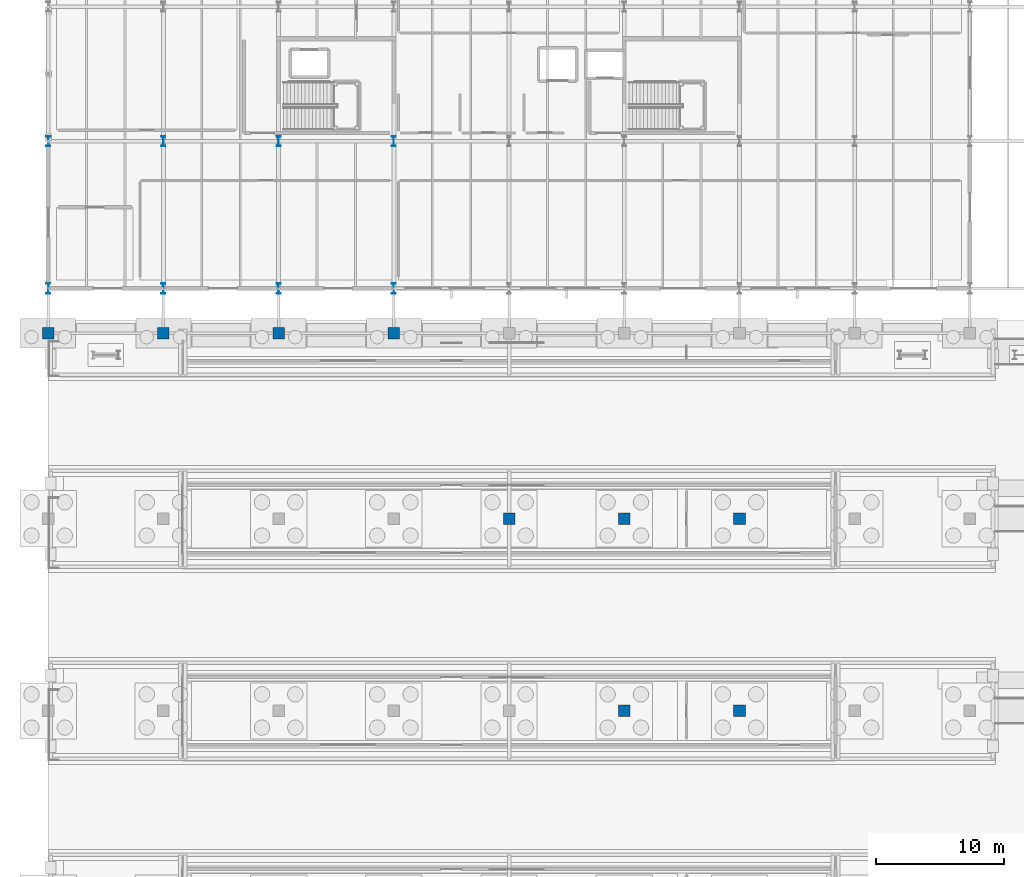
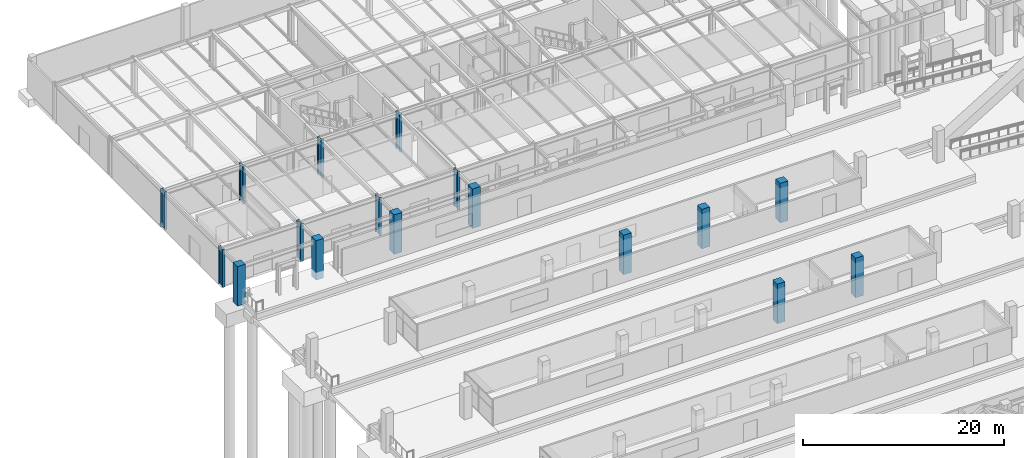
# One storey, part 19 of 160: 17 columns.
"""IFC4 building model written with IfcOpenShell, lengths in metres."""

from ifc_helpers import new_model, si_unit, direction, frame, origin, origin_2d, place, context, subcontext, project, spatial, rectangle, i_section, extrude, material, material_profile, profile_set, type_object, element, save


model = new_model("IFC4")

# Units and contexts
model_context = context("Model", 3, precision=1e-05, world=origin(), true_north=direction((0.0, 1.0)))
body_context = subcontext(model_context, "Body", "Model", "MODEL_VIEW")
ifc_project = project(units=[si_unit("LENGTHUNIT", "METRE"), si_unit("AREAUNIT", "SQUARE_METRE"), si_unit("VOLUMEUNIT", "CUBIC_METRE"), si_unit("PLANEANGLEUNIT", "RADIAN"), si_unit("MASSUNIT", "GRAM", prefix="KILO")], contexts=[model_context])

# Site, building, storey
site_placement = place(None, origin())
site = spatial("IfcSite", under=ifc_project, at=site_placement, CompositionType="ELEMENT")
building_placement = place(site_placement, origin())
building = spatial("IfcBuilding", under=site, at=building_placement, Name="Marlcrest Central Station", CompositionType="ELEMENT")
storey_placement = place(building_placement, origin())
storey = spatial("IfcBuildingStorey", under=building, at=storey_placement, Name="L00", CompositionType="ELEMENT", Elevation=0.0)

# Columns
ifc_material_1 = material(Name="Concrete C50/60", Category="concrete")
ifc_material_profile_1 = material_profile(ifc_material_1, rectangle(XDim=0.89990234375, YDim=0.89990234375, at=origin_2d()), Name="RC 900x900")
ifc_profile_set_1 = profile_set([ifc_material_profile_1], Name="Concrete C50/60")
column_type_1 = type_object("IfcColumnType", Name="RC-08", PredefinedType="COLUMN", material=ifc_profile_set_1)
for number, where, z_axis, x_axis, name in (
    (1, (0.0, 95.5, 0.0), (0.0, 0.0, 1.0), (1.0, 0.0, 0.0), "col-RC-08-L00-0420"),
    (2, (9.0, 95.5, 0.0), (0.0, 0.0, 1.0), (1.0, 0.0, 0.0), "col-RC-08-L00-0430"),
    (3, (18.0, 95.5, 0.0), (0.0, 0.0, 1.0), (1.0, 0.0, 0.0), "col-RC-08-L00-0440"),
    (4, (27.0, 95.5, 0.0), (0.0, 0.0, 1.0), (1.0, 0.0, 0.0), "col-RC-08-L00-0450"),
    (5, (36.0, 81.0, 0.0), (0.0, 0.0, 1.0), (1.0, 0.0, 0.0), "col-RC-08-L00-0458"),
    (6, (45.0, 66.0, 0.0), (0.0, 0.0, 1.0), (1.0, 0.0, 0.0), "col-RC-08-L00-0466"),
    (7, (45.0, 81.0, 0.0), (0.0, 0.0, 1.0), (1.0, 0.0, 0.0), "col-RC-08-L00-0468"),
    (8, (54.0, 66.0, 0.0), (0.0, 0.0, 1.0), (1.0, 0.0, 0.0), "col-RC-08-L00-0476"),
    (9, (54.0, 81.0, 0.0), (0.0, 0.0, 1.0), (1.0, 0.0, 0.0), "col-RC-08-L00-0478"),
):
    element("IfcColumn", number, at=place(storey_placement, frame(where, z_axis=z_axis, x_axis=x_axis)), inside=storey, type_object=column_type_1, Name=name, PredefinedType="COLUMN", context=body_context, shape_type="SweptSolid", body=[
        extrude(rectangle(XDim=0.89990234375, YDim=0.89990234375, at=origin_2d()), origin(), (0.0, 0.0, 1.0), 4.800048828125),
    ])
ifc_material_2 = material(Name="Steel S355", Category="steel")
ifc_material_profile_2 = material_profile(ifc_material_2, i_section(OverallWidth=0.300048828125, OverallDepth=0.800048828125, WebThickness=0.017578125, FlangeThickness=0.032958984375, FilletRadius=0.030029296875, at=origin_2d()), Name="HEB 800")
ifc_profile_set_2 = profile_set([ifc_material_profile_2], Name="Steel S355")
column_type_2 = type_object("IfcColumnType", Name="SC-08", PredefinedType="COLUMN", material=ifc_profile_set_2)
for number, where, z_axis, x_axis, name in (
    (10, (0.0, 99.0, 0.0), (0.0, 0.0, 1.0), (1.0, 0.0, 0.0), "col-SC-08-L00-0037"),
    (11, (0.0, 110.5, 0.0), (0.0, 0.0, 1.0), (1.0, 0.0, 0.0), "col-SC-08-L00-0038"),
    (12, (9.0, 99.0, 0.0), (0.0, 0.0, 1.0), (1.0, 0.0, 0.0), "col-SC-08-L00-0041"),
    (13, (9.0, 110.5, 0.0), (0.0, 0.0, 1.0), (1.0, 0.0, 0.0), "col-SC-08-L00-0042"),
    (14, (18.0, 99.0, 0.0), (0.0, 0.0, 1.0), (1.0, 0.0, 0.0), "col-SC-08-L00-0045"),
    (15, (18.0, 110.5, 0.0), (0.0, 0.0, 1.0), (1.0, 0.0, 0.0), "col-SC-08-L00-0046"),
    (16, (27.0, 99.0, 0.0), (0.0, 0.0, 1.0), (1.0, 0.0, 0.0), "col-SC-08-L00-0049"),
    (17, (27.0, 110.5, 0.0), (0.0, 0.0, 1.0), (1.0, 0.0, 0.0), "col-SC-08-L00-0050"),
):
    element("IfcColumn", number, at=place(storey_placement, frame(where, z_axis=z_axis, x_axis=x_axis)), inside=storey, type_object=column_type_2, Name=name, PredefinedType="COLUMN", context=body_context, shape_type="SweptSolid", body=[
        extrude(i_section(OverallWidth=0.300048828125, OverallDepth=0.800048828125, WebThickness=0.017578125, FlangeThickness=0.032958984375, FilletRadius=0.030029296875, at=origin_2d()), origin(), (0.0, 0.0, 1.0), 4.610107421875),
    ])

save(model, "model.ifc")
